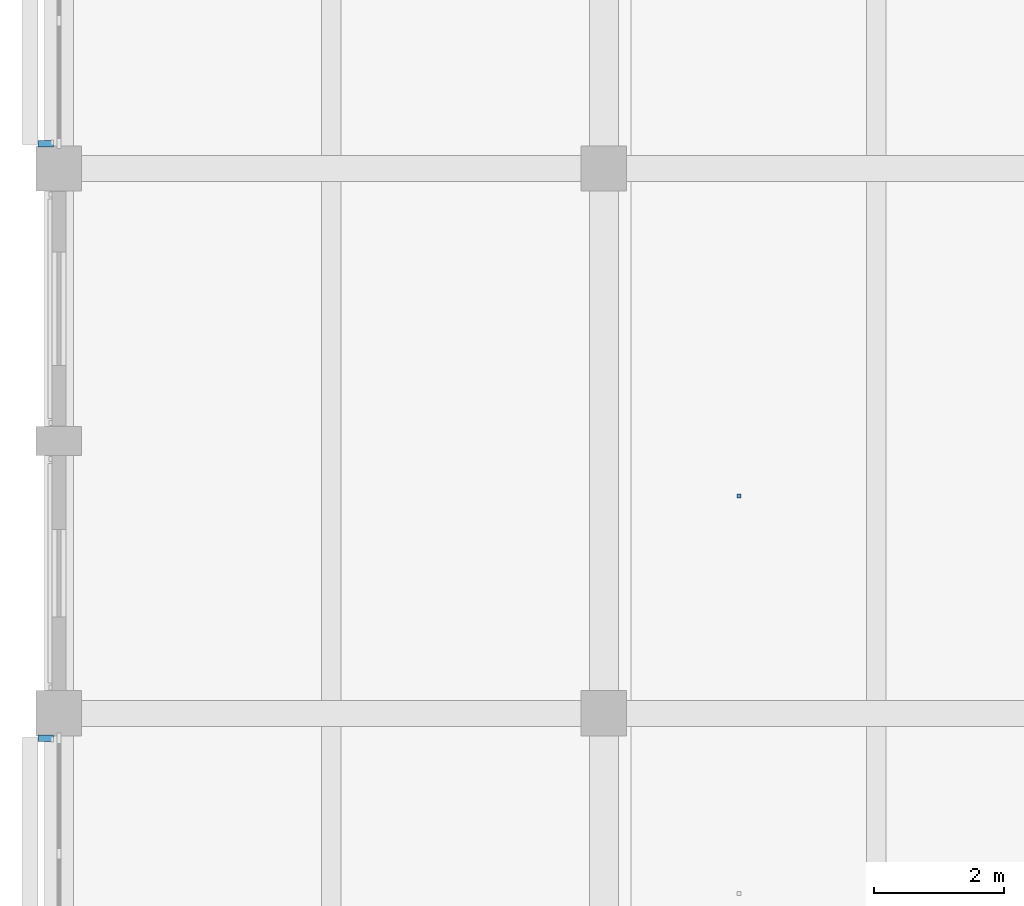
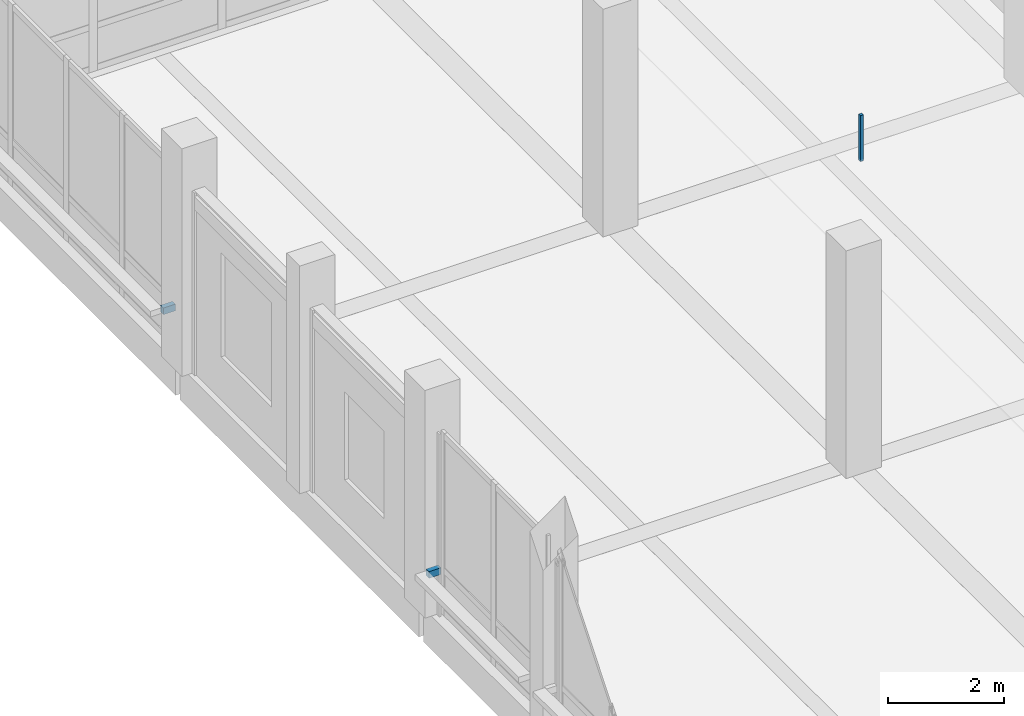
# One storey, part 76 of 128: 3 discrete accessories.
"""IFC4 building model written with IfcOpenShell, lengths in metres."""

from ifc_helpers import new_model, si_unit, direction, frame, origin, origin_2d, place, context, subcontext, project, spatial, rectangle, extrude, material, type_object, element, save


model = new_model("IFC4")

# Units and contexts
model_context = context("Model", 3, precision=1e-05, world=origin(), true_north=direction((0.0, 1.0)))
body_context = subcontext(model_context, "Body", "Model", "MODEL_VIEW")
ifc_project = project(units=[si_unit("LENGTHUNIT", "METRE"), si_unit("AREAUNIT", "SQUARE_METRE"), si_unit("VOLUMEUNIT", "CUBIC_METRE"), si_unit("PLANEANGLEUNIT", "RADIAN"), si_unit("MASSUNIT", "GRAM", prefix="KILO")], contexts=[model_context])

# Site, building, storey
site_placement = place(None, origin())
site = spatial("IfcSite", under=ifc_project, at=site_placement, CompositionType="ELEMENT")
building_placement = place(site_placement, origin())
building = spatial("IfcBuilding", under=site, at=building_placement, Name="Telukmera Botanical Conservatory", CompositionType="ELEMENT")
storey_placement = place(building_placement, frame((0.0, 0.0, 5.39990234375)))
storey = spatial("IfcBuildingStorey", under=building, at=storey_placement, Name="L01", CompositionType="ELEMENT", Elevation=5.39990234375)

# Discrete accessories
ifc_material = material(Name="Steel S355", Category="steel")
discrete_accessory_type_1 = type_object("IfcDiscreteAccessoryType", Name="ACC-CEIL-HGR", PredefinedType="BRACKET", material=ifc_material)
discrete_accessory_placement = place(storey_placement, frame((18.88330078125, 61.35009765625, 3.6201171875), z_axis=(0.0, 0.0, 1.0), x_axis=(1.0, 0.0, 0.0)))
element("IfcDiscreteAccessory", 1, at=discrete_accessory_placement, inside=storey, type_object=discrete_accessory_type_1, Name="L01 Suspended Ceiling Hanger Rod 011-2", PredefinedType="BRACKET", context=body_context, shape_type="SweptSolid", body=[
    extrude(rectangle(XDim=0.06005859375, YDim=0.06005859375, at=origin_2d()), origin(), (0.0, 0.0, 1.0), 0.965087890625),
])
discrete_accessory_type_2 = type_object("IfcDiscreteAccessoryType", Name="Structural Steel Facade Outrigger Fin Bracket", PredefinedType="BRACKET", material=ifc_material)
for number, where, z_axis, x_axis, name in (
    (2, (8.199951171875, 57.615478515625, 0.88037109375), (0.0, 0.0, 1.0), (0.0, 1.0, 0.0), "Facade Outrigger Bracket V3:L01:W5B B"),
    (3, (8.199951171875, 66.784423828125, 0.88037109375), (0.0, 0.0, 1.0), (0.0, 1.0, 0.0), "Facade Outrigger Bracket V3:L01:W7 A"),
):
    element("IfcDiscreteAccessory", number, at=place(storey_placement, frame(where, z_axis=z_axis, x_axis=x_axis)), inside=storey, type_object=discrete_accessory_type_2, Name=name, PredefinedType="BRACKET", context=body_context, shape_type="SweptSolid", body=[
        extrude(rectangle(XDim=0.10009765625, YDim=0.239990234375, at=origin_2d()), origin(), (0.0, 0.0, 1.0), 0.139892578125),
    ])

save(model, "model.ifc")
